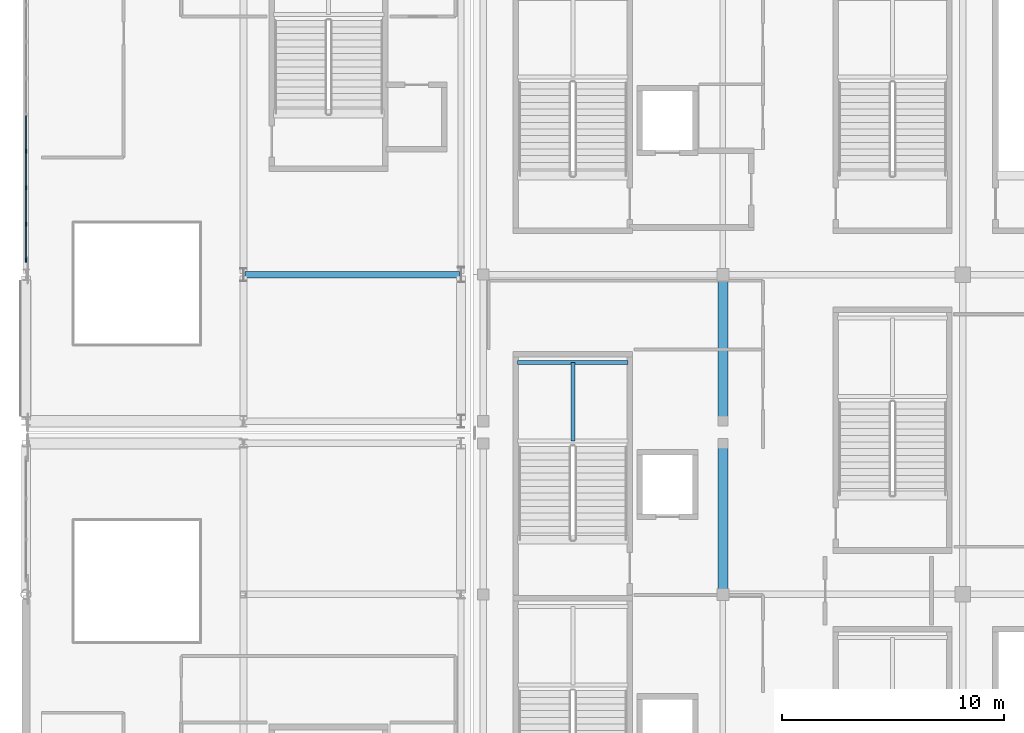
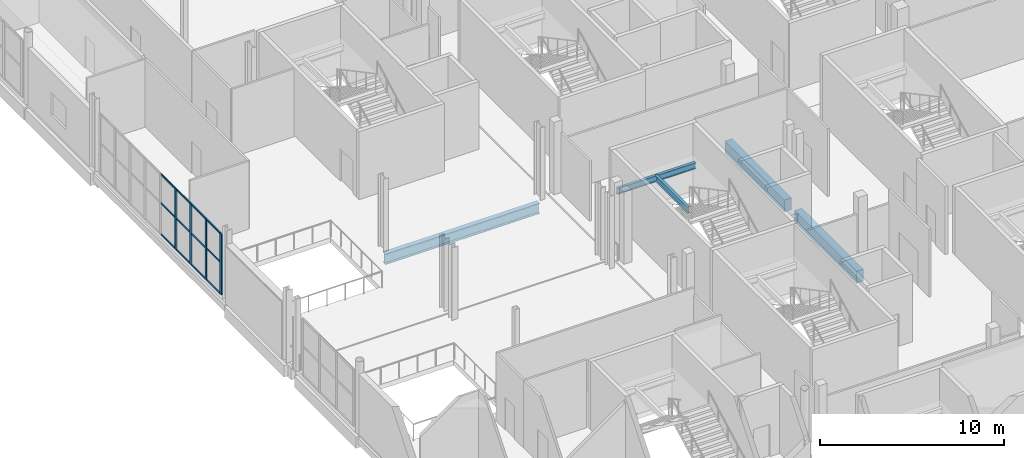
# One storey, part 27 of 129: 16 members, 5 beams, 1 element without a shape of its own.
"""IFC4 building model written with IfcOpenShell, lengths in metres."""

import ifcopenshell
import ifcopenshell.guid

model = None  # the IFC model being written
_history = None  # IfcOwnerHistory: only IFC2X3 demands one
_inside = {}  # id of a spatial element -> (the spatial element, [elements in it])
_under = {}  # id of a project, library or spatial element -> (it, [spatial elements below it])
_declared = {}  # id of a project -> (the project, [libraries it declares])
_typed = {}  # id of a type object -> (the type object, [elements of that type])
_made_of = {}  # id of a material, layer set ... -> (it, [elements and type objects made of it])


def new_model(schema):
    """Start an empty IFC model of exactly this schema.

    Asked for "IFC4X3", IfcOpenShell would pick the latest addendum, in which some entities
    have other attributes; the version numbers below select the first issue.
    IFC2X3 requires an IfcOwnerHistory on every rooted entity: one is made here for all.
    """
    global model, _history
    if schema == "IFC4X3":
        model = ifcopenshell.file(schema_version=(4, 3, 0, 0))
    else:
        model = ifcopenshell.file(schema=schema)
    _inside.clear()
    _under.clear()
    _declared.clear()
    _typed.clear()
    _made_of.clear()
    _history = None
    if model.schema == "IFC2X3":
        org = make("IfcOrganization", Name="unknown")
        user = make(
            "IfcPersonAndOrganization",
            ThePerson=make("IfcPerson", FamilyName="unknown"),
            TheOrganization=org,
        )
        app = make(
            "IfcApplication",
            ApplicationDeveloper=org,
            Version="unknown",
            ApplicationFullName="unknown",
            ApplicationIdentifier="unknown",
        )
        _history = make(
            "IfcOwnerHistory",
            OwningUser=user,
            OwningApplication=app,
            ChangeAction="ADDED",
            CreationDate=0,
        )
    return model


def make(cls, **values):
    """One entity of the class cls with the attributes given. An attribute that is None is left unset."""
    return model.create_entity(
        cls, **{name: value for name, value in values.items() if value is not None}
    )


def rooted(cls, **values):
    """An entity with a GlobalId (a new one), such as an element, a storey or a relation."""
    return make(cls, GlobalId=ifcopenshell.guid.new(), OwnerHistory=_history, **values)


def si_unit(unit_type, name, prefix=None):
    """IfcSIUnit, for example si_unit("LENGTHUNIT", "METRE", prefix="MILLI")."""
    return make("IfcSIUnit", UnitType=unit_type, Prefix=prefix, Name=name)


def assignment(units):
    """IfcUnitAssignment: the units of a project."""
    return None if units is None else make("IfcUnitAssignment", Units=units)


def point(xyz):
    """IfcCartesianPoint."""
    return None if xyz is None else make("IfcCartesianPoint", Coordinates=xyz)


def direction(xyz):
    """IfcDirection."""
    return None if xyz is None else make("IfcDirection", DirectionRatios=xyz)


def frame(location, z_axis=None, x_axis=None):
    """IfcAxis2Placement3D, a coordinate frame: its origin and axes. An axis left out is left unset."""
    return make(
        "IfcAxis2Placement3D",
        Location=point(location),
        Axis=direction(z_axis),
        RefDirection=direction(x_axis),
    )


def frame_2d(location, x_axis=None):
    """IfcAxis2Placement2D, a coordinate frame in the plane: its origin and x axis."""
    return make(
        "IfcAxis2Placement2D", Location=point(location), RefDirection=direction(x_axis)
    )


def origin():
    """The frame at (0, 0, 0) with its axes left unset."""
    return frame((0.0, 0.0, 0.0))


def origin_2d():
    """The frame at (0, 0) in the plane with its x axis left unset."""
    return frame_2d((0.0, 0.0))


def place(relative_to, where):
    """IfcLocalPlacement: puts the frame where relative to a parent placement (None: the world)."""
    return make(
        "IfcLocalPlacement", PlacementRelTo=relative_to, RelativePlacement=where
    )


def context(
    kind, dimensions, precision=None, world=None, true_north=None, identifier=None
):
    """IfcGeometricRepresentationContext, for example the 3D "Model" context."""
    return make(
        "IfcGeometricRepresentationContext",
        ContextIdentifier=identifier,
        ContextType=kind,
        CoordinateSpaceDimension=dimensions,
        Precision=precision,
        WorldCoordinateSystem=world,
        TrueNorth=true_north,
    )


def subcontext(parent, identifier, kind, view, scale=None):
    """IfcGeometricRepresentationSubContext, for example "Body" below "Model"."""
    return make(
        "IfcGeometricRepresentationSubContext",
        ContextIdentifier=identifier,
        ContextType=kind,
        ParentContext=parent,
        TargetScale=scale,
        TargetView=view,
    )


def project(units=None, contexts=None):
    """IfcProject with its units and contexts."""
    return rooted(
        "IfcProject",
        Name="project",
        RepresentationContexts=contexts,
        UnitsInContext=assignment(units),
    )


def spatial(cls, under=None, at=None, **own):
    """A site, building, storey or space (cls), placed at a placement, below another one or the project."""
    s = rooted(cls, ObjectPlacement=at, **own)
    if under is not None:
        _under.setdefault(under.id(), (under, []))[1].append(s)
    return s


def profile(cls, at=None, kind="AREA", **sizes):
    """A parametric profile (cls). Its sizes go by their IFC names, for example OverallWidth=200.0."""
    return make(cls, ProfileType=kind, Position=at, **sizes)


def rectangle(**sizes):
    """IfcRectangleProfileDef."""
    return profile("IfcRectangleProfileDef", **sizes)


def i_section(**sizes):
    """IfcIShapeProfileDef."""
    return profile("IfcIShapeProfileDef", **sizes)


def extrude(swept, where, along, depth):
    """IfcExtrudedAreaSolid: the profile swept, set in the frame where, extruded along a direction by depth."""
    return make(
        "IfcExtrudedAreaSolid",
        SweptArea=swept,
        Position=where,
        ExtrudedDirection=direction(along),
        Depth=depth,
    )


def shape(context_of_items, identifier, shape_type, items):
    """IfcShapeRepresentation: the items that make up one representation, for example the "Body"."""
    return make(
        "IfcShapeRepresentation",
        ContextOfItems=context_of_items,
        RepresentationIdentifier=identifier,
        RepresentationType=shape_type,
        Items=items,
    )


def material(Name=None, Category=None):
    """IfcMaterial."""
    return make("IfcMaterial", Name=Name, Category=Category)


def material_profile(
    of_material, cross_section, Name=None, Category=None, Priority=None
):
    """IfcMaterialProfile: a cross section and its material."""
    return make(
        "IfcMaterialProfile",
        Name=Name,
        Material=of_material,
        Profile=cross_section,
        Priority=Priority,
        Category=Category,
    )


def profile_set(profiles, Name=None, composite=None):
    """IfcMaterialProfileSet."""
    return make(
        "IfcMaterialProfileSet",
        Name=Name,
        MaterialProfiles=profiles,
        CompositeProfile=composite,
    )


def made_of(thing, what):
    """Note that an element or type object is made of a material, layer set ...; save() writes the relation."""
    if what is not None:
        _made_of.setdefault(what.id(), (what, []))[1].append(thing)
    return thing


def type_object(cls, material=None, **own):
    """A type object (cls), such as IfcWallType, which elements share."""
    return made_of(rooted(cls, **own), material)


def element(
    cls,
    number,
    at=None,
    inside=None,
    cuts=None,
    type_object=None,
    material=None,
    context=None,
    identifier="Body",
    shape_type=None,
    held_by="IfcProductDefinitionShape",
    body=None,
    shapes=None,
    **own,
):
    """One element of the class cls, such as IfcWall. Its Tag is "e" and its number.

    at: its placement. inside: the storey or other place that contains it. cuts: it is an
    opening in that element (IfcRelVoidsElement). A single representation is given by context,
    identifier, shape_type and body (its items); several are given by shapes. held_by: the class
    of the entity that holds the representations. save() writes the other relations.
    """
    e = rooted(cls, Tag="e%d" % number, ObjectPlacement=at, **own)
    if body is not None:
        shapes = [shape(context, identifier, shape_type, body)]
    if shapes is not None:
        e.Representation = make(held_by, Representations=shapes)
    if inside is not None:
        _inside.setdefault(inside.id(), (inside, []))[1].append(e)
    if cuts is not None:
        rooted(
            "IfcRelVoidsElement", RelatingBuildingElement=cuts, RelatedOpeningElement=e
        )
    if type_object is not None:
        _typed.setdefault(type_object.id(), (type_object, []))[1].append(e)
    return made_of(e, material)


def aggregate(whole, parts):
    """IfcRelAggregates: a whole, such as a stair, and the parts it consists of."""
    return rooted("IfcRelAggregates", RelatingObject=whole, RelatedObjects=parts)


def save(model, path):
    """Write the relations noted so far, then the file.

    IfcRelAggregates (storeys below a building ...), IfcRelContainedInSpatialStructure (elements
    in a storey), IfcRelDefinesByType, IfcRelAssociatesMaterial and IfcRelDeclares: one each for
    every whole, place, type object, material and project.
    """
    for whole, parts in _under.values():
        aggregate(whole, parts)
    for where, things in _inside.values():
        rooted(
            "IfcRelContainedInSpatialStructure",
            RelatedElements=things,
            RelatingStructure=where,
        )
    for kind, things in _typed.values():
        rooted("IfcRelDefinesByType", RelatedObjects=things, RelatingType=kind)
    for what, things in _made_of.values():
        rooted("IfcRelAssociatesMaterial", RelatedObjects=things, RelatingMaterial=what)
    for by, libraries in _declared.values():
        rooted("IfcRelDeclares", RelatingContext=by, RelatedDefinitions=libraries)
    model.write(path)


model = new_model("IFC4")

# Units and contexts
model_context = context("Model", 3, precision=1e-05, world=origin(), true_north=direction((0.0, 1.0)))
body_context = subcontext(model_context, "Body", "Model", "MODEL_VIEW")
ifc_project = project(units=[si_unit("LENGTHUNIT", "METRE"), si_unit("AREAUNIT", "SQUARE_METRE"), si_unit("VOLUMEUNIT", "CUBIC_METRE"), si_unit("PLANEANGLEUNIT", "RADIAN"), si_unit("MASSUNIT", "GRAM", prefix="KILO")], contexts=[model_context])

# Site, building, storey
site_placement = place(None, origin())
site = spatial("IfcSite", under=ifc_project, at=site_placement, CompositionType="ELEMENT")
building_placement = place(site_placement, origin())
building = spatial("IfcBuilding", under=site, at=building_placement, Name="Koshinbarg Plaza Stadium", CompositionType="ELEMENT")
storey_placement = place(building_placement, frame((0.0, 0.0, 5.39990234375)))
storey = spatial("IfcBuildingStorey", under=building, at=storey_placement, Name="L01", CompositionType="ELEMENT", Elevation=5.39990234375)

# Beams
ifc_material_1 = material(Name="Concrete C40/50", Category="concrete")
ifc_material_profile_1 = material_profile(ifc_material_1, rectangle(XDim=0.449951171875, YDim=0.800048828125, at=origin_2d()), Name="RC 450x800")
ifc_profile_set_1 = profile_set([ifc_material_profile_1], Name="Concrete C40/50")
beam_type_1 = type_object("IfcBeamType", Name="BM-RCG-04", PredefinedType="USERDEFINED", material=ifc_profile_set_1)
beam_1_placement = place(storey_placement, frame((35.39990234375, 68.760009765625, -0.719970703125), z_axis=(0.0, 1.0, 0.0), x_axis=(-1.0, 0.0, 0.0)))
element("IfcBeam", 1, at=beam_1_placement, inside=storey, type_object=beam_type_1, Name="L01 Y girder 6/J-K", ObjectType="GIRDER", PredefinedType="USERDEFINED", context=body_context, shape_type="SweptSolid", body=[
    extrude(rectangle(XDim=0.449951171875, YDim=0.800048828125, at=origin_2d()), origin(), (0.0, 0.0, 1.0), 6.679931640625),
])
beam_2_placement = place(storey_placement, frame((35.39990234375, 76.56005859375, -0.719970703125), z_axis=(0.0, 1.0, 0.0), x_axis=(-1.0, 0.0, 0.0)))
element("IfcBeam", 2, at=beam_2_placement, inside=storey, type_object=beam_type_1, Name="L01 Y girder 6/L-M", ObjectType="GIRDER", PredefinedType="USERDEFINED", context=body_context, shape_type="SweptSolid", body=[
    extrude(rectangle(XDim=0.449951171875, YDim=0.800048828125, at=origin_2d()), origin(), (0.0, 0.0, 1.0), 6.47998046875),
])
ifc_material_2 = material(Name="Steel S355", Category="steel")
ifc_material_profile_2 = material_profile(ifc_material_2, i_section(OverallWidth=0.179931640625, OverallDepth=0.39990234375, WebThickness=0.008544921875, FlangeThickness=0.013427734375, at=origin_2d()), Name="IPE 400")
ifc_profile_set_2 = profile_set([ifc_material_profile_2], Name="Steel S355")
beam_type_2 = type_object("IfcBeamType", Name="BM-SBM-01", PredefinedType="BEAM", material=ifc_profile_set_2)
beam_3_placement = place(storey_placement, frame((26.14990234375, 79.14990234375, 1.880126953125), z_axis=(1.0, 0.0, 0.0), x_axis=(0.0, 1.0, 0.0)))
element("IfcBeam", 3, at=beam_3_placement, inside=storey, type_object=beam_type_2, Name="L01 Protected Exit Stair C04 landing trimmer beam 2", PredefinedType="BEAM", context=body_context, shape_type="SweptSolid", body=[
    extrude(i_section(OverallWidth=0.179931640625, OverallDepth=0.39990234375, WebThickness=0.008544921875, FlangeThickness=0.013427734375, at=origin_2d()), origin(), (0.0, 0.0, 1.0), 4.97021484375),
])
beam_4_placement = place(storey_placement, frame((28.635009765625, 75.610107421875, 1.880126953125), z_axis=(0.0, 1.0, 0.0), x_axis=(-1.0, 0.0, 0.0)))
element("IfcBeam", 4, at=beam_4_placement, inside=storey, type_object=beam_type_2, Name="L01 Protected Exit Stair C04 landing trimmer beam 3", PredefinedType="BEAM", context=body_context, shape_type="SweptSolid", body=[
    extrude(i_section(OverallWidth=0.179931640625, OverallDepth=0.39990234375, WebThickness=0.008544921875, FlangeThickness=0.013427734375, at=origin_2d()), origin(), (0.0, 0.0, 1.0), 3.539794921875),
])
ifc_material_profile_3 = material_profile(ifc_material_2, i_section(OverallWidth=0.300048828125, OverallDepth=0.699951171875, WebThickness=0.01708984375, FlangeThickness=0.031982421875, at=origin_2d()), Name="HEB 700")
ifc_profile_set_3 = profile_set([ifc_material_profile_3], Name="Steel S355")
beam_type_3 = type_object("IfcBeamType", Name="BM-SGIR-03", PredefinedType="USERDEFINED", material=ifc_profile_set_3)
beam_5_placement = place(storey_placement, frame((13.860107421875, 83.10009765625, -0.669921875), z_axis=(1.0, 0.0, 0.0), x_axis=(0.0, 1.0, 0.0)))
element("IfcBeam", 5, at=beam_5_placement, inside=storey, type_object=beam_type_3, Name="L01 X girder M/3-4", ObjectType="GIRDER", PredefinedType="USERDEFINED", context=body_context, shape_type="SweptSolid", body=[
    extrude(i_section(OverallWidth=0.300048828125, OverallDepth=0.699951171875, WebThickness=0.01708984375, FlangeThickness=0.031982421875, at=origin_2d()), origin(), (0.0, 0.0, 1.0), 9.679931640625),
])

# Curtain wall, members
ifc_material_3 = material(Name="Thermally broken anodised aluminium and low-E double glazing", Category="aluminium")
curtain_wall_type = type_object("IfcCurtainWallType", Name="CW-SYS-07", PredefinedType="NOTDEFINED", material=ifc_material_3)
curtain_wall_placement = place(storey_placement, origin())
curtain_wall = element("IfcCurtainWall", 6, at=curtain_wall_placement, inside=storey, type_object=curtain_wall_type, Name="L01 unitised curtain wall CW-L01-006", PredefinedType="NOTDEFINED")
ifc_material_4 = material(Name="Anodised aluminium mullion", Category="aluminium")
ifc_material_profile_4 = material_profile(ifc_material_4, rectangle(XDim=0.070068359375, YDim=0.179931640625, at=origin_2d()), Name="ALU 70x180")
ifc_profile_set_4 = profile_set([ifc_material_profile_4], Name="Anodised aluminium mullion")
member_type_1 = type_object("IfcMemberType", Name="CW-MUL-03", PredefinedType="MULLION", material=ifc_profile_set_4)
member_1_placement = place(storey_placement, frame((4.0, 83.75, 0.0), z_axis=(0.0, 0.0, 1.0), x_axis=(-1.0, 0.0, 0.0)))
member_1 = element("IfcMember", 7, at=member_1_placement, type_object=member_type_1, Name="CW07 mullion 1", PredefinedType="MULLION", context=body_context, shape_type="SweptSolid", body=[
    extrude(rectangle(XDim=0.070068359375, YDim=0.179931640625, at=origin_2d()), origin(), (0.0, 0.0, 1.0), 4.030029296875),
])
member_2_placement = place(storey_placement, frame((4.0, 85.364990234375, 0.0), z_axis=(0.0, 0.0, 1.0), x_axis=(-1.0, 0.0, 0.0)))
member_2 = element("IfcMember", 8, at=member_2_placement, type_object=member_type_1, Name="CW07 mullion 2", PredefinedType="MULLION", context=body_context, shape_type="SweptSolid", body=[
    extrude(rectangle(XDim=0.070068359375, YDim=0.179931640625, at=origin_2d()), origin(), (0.0, 0.0, 1.0), 4.030029296875),
])
member_3_placement = place(storey_placement, frame((4.0, 87.010009765625, 0.0), z_axis=(0.0, 0.0, 1.0), x_axis=(-1.0, 0.0, 0.0)))
member_3 = element("IfcMember", 9, at=member_3_placement, type_object=member_type_1, Name="CW07 mullion 3", PredefinedType="MULLION", context=body_context, shape_type="SweptSolid", body=[
    extrude(rectangle(XDim=0.070068359375, YDim=0.179931640625, at=origin_2d()), origin(), (0.0, 0.0, 1.0), 4.030029296875),
])
member_4_placement = place(storey_placement, frame((4.0, 88.655029296875, 0.0), z_axis=(0.0, 0.0, 1.0), x_axis=(-1.0, 0.0, 0.0)))
member_4 = element("IfcMember", 10, at=member_4_placement, type_object=member_type_1, Name="CW07 mullion 4", PredefinedType="MULLION", context=body_context, shape_type="SweptSolid", body=[
    extrude(rectangle(XDim=0.070068359375, YDim=0.179931640625, at=origin_2d()), origin(), (0.0, 0.0, 1.0), 4.030029296875),
])
ifc_material_5 = material(Name="Anodised aluminium transom", Category="aluminium")
ifc_material_profile_5 = material_profile(ifc_material_5, rectangle(XDim=0.06005859375, YDim=0.110107421875, at=origin_2d()), Name="ALU 60x110")
ifc_profile_set_5 = profile_set([ifc_material_profile_5], Name="Anodised aluminium transom")
member_type_2 = type_object("IfcMemberType", Name="CW-TRN-01", PredefinedType="USERDEFINED", material=ifc_profile_set_5)
member_5_placement = place(storey_placement, frame((4.0, 83.780029296875, 0.030029296875), z_axis=(0.0, 1.0, 0.0), x_axis=(-1.0, 0.0, 0.0)))
member_5 = element("IfcMember", 11, at=member_5_placement, type_object=member_type_2, Name="CW07 transom 1.1", ObjectType="TRANSOM", PredefinedType="USERDEFINED", context=body_context, shape_type="SweptSolid", body=[
    extrude(rectangle(XDim=0.06005859375, YDim=0.110107421875, at=origin_2d()), origin(), (0.0, 0.0, 1.0), 1.554931640625),
])
member_6_placement = place(storey_placement, frame((4.0, 83.780029296875, 2.095703125), z_axis=(0.0, 1.0, 0.0), x_axis=(-1.0, 0.0, 0.0)))
member_6 = element("IfcMember", 12, at=member_6_placement, type_object=member_type_2, Name="CW07 transom 1.2", ObjectType="TRANSOM", PredefinedType="USERDEFINED", context=body_context, shape_type="SweptSolid", body=[
    extrude(rectangle(XDim=0.06005859375, YDim=0.110107421875, at=origin_2d()), origin(), (0.0, 0.0, 1.0), 1.554931640625),
])
member_7_placement = place(storey_placement, frame((4.0, 83.780029296875, 4.0), z_axis=(0.0, 1.0, 0.0), x_axis=(-1.0, 0.0, 0.0)))
member_7 = element("IfcMember", 13, at=member_7_placement, type_object=member_type_2, Name="CW07 transom 1.3", ObjectType="TRANSOM", PredefinedType="USERDEFINED", context=body_context, shape_type="SweptSolid", body=[
    extrude(rectangle(XDim=0.06005859375, YDim=0.110107421875, at=origin_2d()), origin(), (0.0, 0.0, 1.0), 1.554931640625),
])
member_8_placement = place(storey_placement, frame((4.0, 85.39501953125, 0.030029296875), z_axis=(0.0, 1.0, 0.0), x_axis=(-1.0, 0.0, 0.0)))
member_8 = element("IfcMember", 14, at=member_8_placement, type_object=member_type_2, Name="CW07 transom 2.1", ObjectType="TRANSOM", PredefinedType="USERDEFINED", context=body_context, shape_type="SweptSolid", body=[
    extrude(rectangle(XDim=0.06005859375, YDim=0.110107421875, at=origin_2d()), origin(), (0.0, 0.0, 1.0), 1.5849609375),
])
member_9_placement = place(storey_placement, frame((4.0, 85.39501953125, 2.095703125), z_axis=(0.0, 1.0, 0.0), x_axis=(-1.0, 0.0, 0.0)))
member_9 = element("IfcMember", 15, at=member_9_placement, type_object=member_type_2, Name="CW07 transom 2.2", ObjectType="TRANSOM", PredefinedType="USERDEFINED", context=body_context, shape_type="SweptSolid", body=[
    extrude(rectangle(XDim=0.06005859375, YDim=0.110107421875, at=origin_2d()), origin(), (0.0, 0.0, 1.0), 1.5849609375),
])
member_10_placement = place(storey_placement, frame((4.0, 85.39501953125, 4.0), z_axis=(0.0, 1.0, 0.0), x_axis=(-1.0, 0.0, 0.0)))
member_10 = element("IfcMember", 16, at=member_10_placement, type_object=member_type_2, Name="CW07 transom 2.3", ObjectType="TRANSOM", PredefinedType="USERDEFINED", context=body_context, shape_type="SweptSolid", body=[
    extrude(rectangle(XDim=0.06005859375, YDim=0.110107421875, at=origin_2d()), origin(), (0.0, 0.0, 1.0), 1.5849609375),
])
member_11_placement = place(storey_placement, frame((4.0, 87.0400390625, 0.030029296875), z_axis=(0.0, 1.0, 0.0), x_axis=(-1.0, 0.0, 0.0)))
member_11 = element("IfcMember", 17, at=member_11_placement, type_object=member_type_2, Name="CW07 transom 3.1", ObjectType="TRANSOM", PredefinedType="USERDEFINED", context=body_context, shape_type="SweptSolid", body=[
    extrude(rectangle(XDim=0.06005859375, YDim=0.110107421875, at=origin_2d()), origin(), (0.0, 0.0, 1.0), 1.5849609375),
])
member_12_placement = place(storey_placement, frame((4.0, 87.0400390625, 2.095703125), z_axis=(0.0, 1.0, 0.0), x_axis=(-1.0, 0.0, 0.0)))
member_12 = element("IfcMember", 18, at=member_12_placement, type_object=member_type_2, Name="CW07 transom 3.2", ObjectType="TRANSOM", PredefinedType="USERDEFINED", context=body_context, shape_type="SweptSolid", body=[
    extrude(rectangle(XDim=0.06005859375, YDim=0.110107421875, at=origin_2d()), origin(), (0.0, 0.0, 1.0), 1.5849609375),
])
member_13_placement = place(storey_placement, frame((4.0, 87.0400390625, 4.0), z_axis=(0.0, 1.0, 0.0), x_axis=(-1.0, 0.0, 0.0)))
member_13 = element("IfcMember", 19, at=member_13_placement, type_object=member_type_2, Name="CW07 transom 3.3", ObjectType="TRANSOM", PredefinedType="USERDEFINED", context=body_context, shape_type="SweptSolid", body=[
    extrude(rectangle(XDim=0.06005859375, YDim=0.110107421875, at=origin_2d()), origin(), (0.0, 0.0, 1.0), 1.5849609375),
])
member_14_placement = place(storey_placement, frame((4.0, 88.68505859375, 0.030029296875), z_axis=(0.0, 1.0, 0.0), x_axis=(-1.0, 0.0, 0.0)))
member_14 = element("IfcMember", 20, at=member_14_placement, type_object=member_type_2, Name="CW07 transom 4.1", ObjectType="TRANSOM", PredefinedType="USERDEFINED", context=body_context, shape_type="SweptSolid", body=[
    extrude(rectangle(XDim=0.06005859375, YDim=0.110107421875, at=origin_2d()), origin(), (0.0, 0.0, 1.0), 1.5849609375),
])
member_15_placement = place(storey_placement, frame((4.0, 88.68505859375, 2.095703125), z_axis=(0.0, 1.0, 0.0), x_axis=(-1.0, 0.0, 0.0)))
member_15 = element("IfcMember", 21, at=member_15_placement, type_object=member_type_2, Name="CW07 transom 4.2", ObjectType="TRANSOM", PredefinedType="USERDEFINED", context=body_context, shape_type="SweptSolid", body=[
    extrude(rectangle(XDim=0.06005859375, YDim=0.110107421875, at=origin_2d()), origin(), (0.0, 0.0, 1.0), 1.5849609375),
])
member_16_placement = place(storey_placement, frame((4.0, 88.68505859375, 4.0), z_axis=(0.0, 1.0, 0.0), x_axis=(-1.0, 0.0, 0.0)))
member_16 = element("IfcMember", 22, at=member_16_placement, type_object=member_type_2, Name="CW07 transom 4.3", ObjectType="TRANSOM", PredefinedType="USERDEFINED", context=body_context, shape_type="SweptSolid", body=[
    extrude(rectangle(XDim=0.06005859375, YDim=0.110107421875, at=origin_2d()), origin(), (0.0, 0.0, 1.0), 1.5849609375),
])
aggregate(curtain_wall, [member_1, member_2, member_3, member_4, member_5, member_6, member_7, member_8, member_9, member_10, member_11, member_12, member_13, member_14, member_15, member_16])

save(model, "model.ifc")
